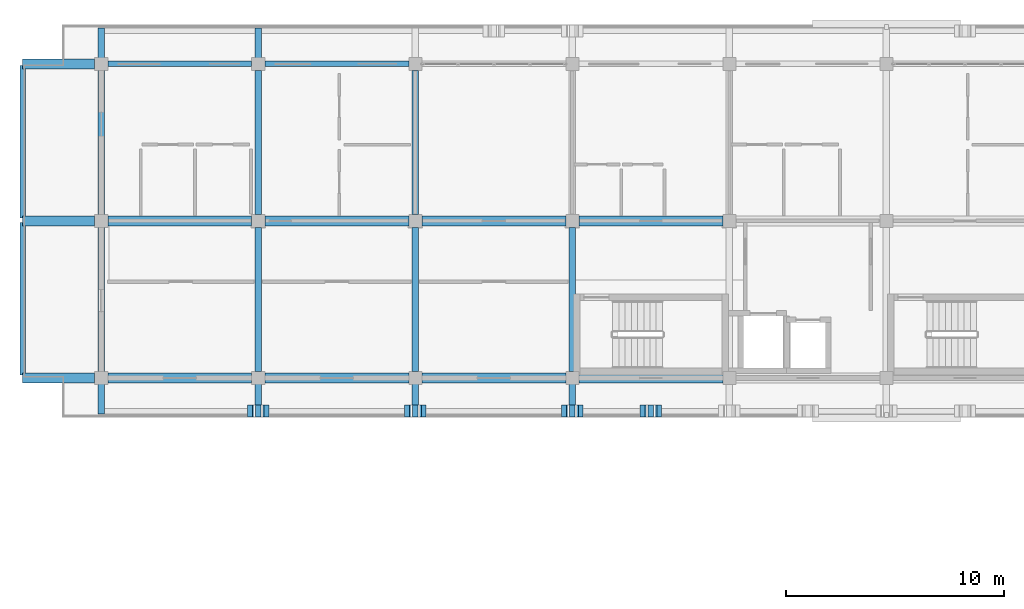
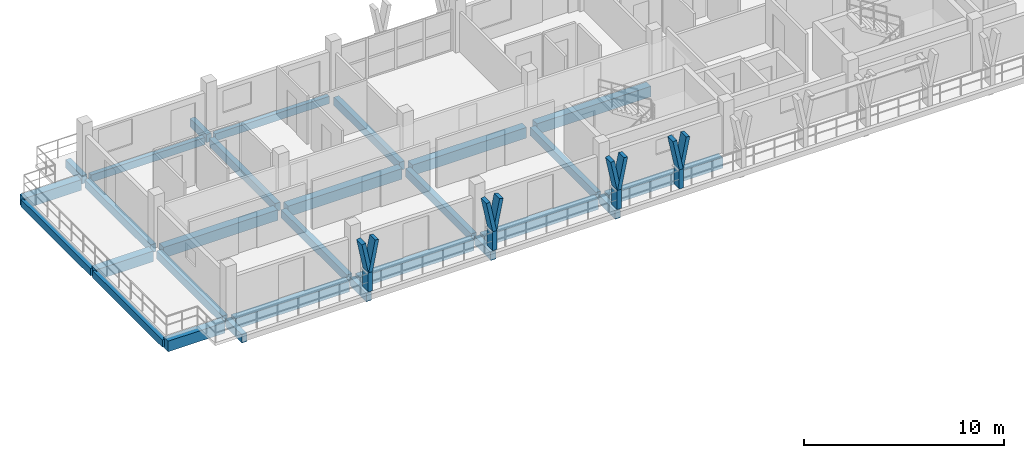
# One storey, part 6 of 56: 28 beams, 12 members.
"""IFC4 building model written with IfcOpenShell, lengths in metres."""

from ifc_helpers import new_model, si_unit, direction, frame, origin, origin_2d, place, context, subcontext, project, spatial, rectangle, extrude, material, material_profile, profile_set, type_object, element, save


model = new_model("IFC4")

# Units and contexts
model_context = context("Model", 3, precision=1e-05, world=origin(), true_north=direction((0.0, 1.0)))
body_context = subcontext(model_context, "Body", "Model", "MODEL_VIEW")
ifc_project = project(units=[si_unit("LENGTHUNIT", "METRE"), si_unit("AREAUNIT", "SQUARE_METRE"), si_unit("VOLUMEUNIT", "CUBIC_METRE"), si_unit("PLANEANGLEUNIT", "RADIAN"), si_unit("MASSUNIT", "GRAM", prefix="KILO")], contexts=[model_context])

# Site, building, storey
site_placement = place(None, origin())
site = spatial("IfcSite", under=ifc_project, at=site_placement, CompositionType="ELEMENT")
building_placement = place(site_placement, origin())
building = spatial("IfcBuilding", under=site, at=building_placement, Name="Suanplinth Sawtooth Commons", CompositionType="ELEMENT")
storey_placement = place(building_placement, frame((0.0, 0.0, 34.800048828125)))
storey = spatial("IfcBuildingStorey", under=building, at=storey_placement, Name="L10", CompositionType="ELEMENT", Elevation=34.800048828125)

# Beams
ifc_material_1 = material(Name="Precast concrete C40/50", Category="concrete")
ifc_material_profile_1 = material_profile(ifc_material_1, rectangle(XDim=0.449951171875, YDim=0.64990234375, at=origin_2d()), Name="PC-GDR 450x650")
ifc_profile_set_1 = profile_set([ifc_material_profile_1], Name="Precast concrete C40/50")
beam_type_1 = type_object("IfcBeamType", Name="B-04", PredefinedType="USERDEFINED", material=ifc_profile_set_1)
for number, where, z_axis, x_axis, name in (
    (1, (21.89990234375, 108.0, -0.545166015625), (1.0, 0.0, 0.0), (0.0, 1.0, 0.0), "BMX-L10-A-3-15"),
    (2, (21.89990234375, 115.199951171875, -0.545166015625), (1.0, 0.0, 0.0), (0.0, 1.0, 0.0), "BMX-L10-A-3-16"),
):
    element("IfcBeam", number, at=place(storey_placement, frame(where, z_axis=z_axis, x_axis=x_axis)), inside=storey, type_object=beam_type_1, Name=name, ObjectType="GIRDER", PredefinedType="USERDEFINED", context=body_context, shape_type="SweptSolid", body=[
        extrude(rectangle(XDim=0.449951171875, YDim=0.64990234375, at=origin_2d()), origin(), (0.0, 0.0, 1.0), 6.60009765625),
    ])
for number, where, z_axis, x_axis, name in (
    (3, (29.10009765625, 108.0, -0.545166015625), (1.0, 0.0, 0.0), (0.0, 1.0, 0.0), "BMX-L10-A-4-15"),
    (4, (29.10009765625, 115.199951171875, -0.545166015625), (1.0, 0.0, 0.0), (0.0, 1.0, 0.0), "BMX-L10-A-4-16"),
    (5, (36.300048828125, 108.0, -0.545166015625), (1.0, 0.0, 0.0), (0.0, 1.0, 0.0), "BMX-L10-A-5-15"),
    (6, (36.300048828125, 115.199951171875, -0.545166015625), (1.0, 0.0, 0.0), (0.0, 1.0, 0.0), "BMX-L10-A-5-16"),
):
    element("IfcBeam", number, at=place(storey_placement, frame(where, z_axis=z_axis, x_axis=x_axis)), inside=storey, type_object=beam_type_1, Name=name, ObjectType="GIRDER", PredefinedType="USERDEFINED", context=body_context, shape_type="SweptSolid", body=[
        extrude(rectangle(XDim=0.449951171875, YDim=0.64990234375, at=origin_2d()), origin(), (0.0, 0.0, 1.0), 6.599853515625),
    ])
for number, where, z_axis, x_axis, name in (
    (7, (43.5, 108.0, -0.545166015625), (1.0, 0.0, 0.0), (0.0, 1.0, 0.0), "BMX-L10-A-6-15"),
    (8, (43.5, 115.199951171875, -0.545166015625), (1.0, 0.0, 0.0), (0.0, 1.0, 0.0), "BMX-L10-A-6-16"),
):
    element("IfcBeam", number, at=place(storey_placement, frame(where, z_axis=z_axis, x_axis=x_axis)), inside=storey, type_object=beam_type_1, Name=name, ObjectType="GIRDER", PredefinedType="USERDEFINED", context=body_context, shape_type="SweptSolid", body=[
        extrude(rectangle(XDim=0.449951171875, YDim=0.64990234375, at=origin_2d()), origin(), (0.0, 0.0, 1.0), 6.60009765625),
    ])
for number, where, z_axis, x_axis, name in (
    (9, (21.300048828125, 108.0, -0.545166015625), (-1.0, 0.0, 0.0), (0.0, -1.0, 0.0), "BMX-L10-A-WCANT-15"),
    (10, (21.300048828125, 115.199951171875, -0.545166015625), (-1.0, 0.0, 0.0), (0.0, -1.0, 0.0), "BMX-L10-A-WCANT-16"),
    (11, (21.300048828125, 122.39990234375, -0.545166015625), (-1.0, 0.0, 0.0), (0.0, -1.0, 0.0), "BMX-L10-A-WCANT-17"),
):
    element("IfcBeam", number, at=place(storey_placement, frame(where, z_axis=z_axis, x_axis=x_axis)), inside=storey, type_object=beam_type_1, Name=name, ObjectType="GIRDER", PredefinedType="USERDEFINED", context=body_context, shape_type="SweptSolid", body=[
        extrude(rectangle(XDim=0.449951171875, YDim=0.64990234375, at=origin_2d()), origin(), (0.0, 0.0, 1.0), 3.300048828125),
    ])
ifc_material_profile_2 = material_profile(ifc_material_1, rectangle(XDim=0.300048828125, YDim=0.5, at=origin_2d()), Name="PC-BM 300x500")
ifc_profile_set_2 = profile_set([ifc_material_profile_2], Name="Precast concrete C40/50")
beam_type_2 = type_object("IfcBeamType", Name="B-07", PredefinedType="BEAM", material=ifc_profile_set_2)
beam_1_placement = place(storey_placement, frame((21.60009765625, 108.300048828125, -0.469970703125), z_axis=(0.0, 1.0, 0.0), x_axis=(-1.0, 0.0, 0.0)))
element("IfcBeam", 12, at=beam_1_placement, inside=storey, type_object=beam_type_2, Name="BMY-L10-A-3-15", PredefinedType="BEAM", context=body_context, shape_type="SweptSolid", body=[
    extrude(rectangle(XDim=0.300048828125, YDim=0.5, at=origin_2d()), origin(), (0.0, 0.0, 1.0), 6.599853515625),
])
beam_2_placement = place(storey_placement, frame((21.60009765625, 115.5, -0.469970703125), z_axis=(0.0, 1.0, 0.0), x_axis=(-1.0, 0.0, 0.0)))
element("IfcBeam", 13, at=beam_2_placement, inside=storey, type_object=beam_type_2, Name="BMY-L10-A-3-16", PredefinedType="BEAM", context=body_context, shape_type="SweptSolid", body=[
    extrude(rectangle(XDim=0.300048828125, YDim=0.5, at=origin_2d()), origin(), (0.0, 0.0, 1.0), 6.60009765625),
])
beam_3_placement = place(storey_placement, frame((28.800048828125, 108.300048828125, -0.469970703125), z_axis=(0.0, 1.0, 0.0), x_axis=(-1.0, 0.0, 0.0)))
element("IfcBeam", 14, at=beam_3_placement, inside=storey, type_object=beam_type_2, Name="BMY-L10-A-4-15", PredefinedType="BEAM", context=body_context, shape_type="SweptSolid", body=[
    extrude(rectangle(XDim=0.300048828125, YDim=0.5, at=origin_2d()), origin(), (0.0, 0.0, 1.0), 6.599853515625),
])
beam_4_placement = place(storey_placement, frame((28.800048828125, 115.5, -0.469970703125), z_axis=(0.0, 1.0, 0.0), x_axis=(-1.0, 0.0, 0.0)))
element("IfcBeam", 15, at=beam_4_placement, inside=storey, type_object=beam_type_2, Name="BMY-L10-A-4-16", PredefinedType="BEAM", context=body_context, shape_type="SweptSolid", body=[
    extrude(rectangle(XDim=0.300048828125, YDim=0.5, at=origin_2d()), origin(), (0.0, 0.0, 1.0), 6.60009765625),
])
beam_5_placement = place(storey_placement, frame((36.0, 108.300048828125, -0.469970703125), z_axis=(0.0, 1.0, 0.0), x_axis=(-1.0, 0.0, 0.0)))
element("IfcBeam", 16, at=beam_5_placement, inside=storey, type_object=beam_type_2, Name="BMY-L10-A-5-15", PredefinedType="BEAM", context=body_context, shape_type="SweptSolid", body=[
    extrude(rectangle(XDim=0.300048828125, YDim=0.5, at=origin_2d()), origin(), (0.0, 0.0, 1.0), 6.599853515625),
])
beam_6_placement = place(storey_placement, frame((36.0, 115.5, -0.469970703125), z_axis=(0.0, 1.0, 0.0), x_axis=(-1.0, 0.0, 0.0)))
element("IfcBeam", 17, at=beam_6_placement, inside=storey, type_object=beam_type_2, Name="BMY-L10-A-5-16", PredefinedType="BEAM", context=body_context, shape_type="SweptSolid", body=[
    extrude(rectangle(XDim=0.300048828125, YDim=0.5, at=origin_2d()), origin(), (0.0, 0.0, 1.0), 6.60009765625),
])
beam_7_placement = place(storey_placement, frame((43.199951171875, 108.300048828125, -0.469970703125), z_axis=(0.0, 1.0, 0.0), x_axis=(-1.0, 0.0, 0.0)))
element("IfcBeam", 18, at=beam_7_placement, inside=storey, type_object=beam_type_2, Name="BMY-L10-A-6-15", PredefinedType="BEAM", context=body_context, shape_type="SweptSolid", body=[
    extrude(rectangle(XDim=0.300048828125, YDim=0.5, at=origin_2d()), origin(), (0.0, 0.0, 1.0), 6.599853515625),
])
for number, where, z_axis, x_axis, name in (
    (19, (21.60009765625, 122.39990234375, -0.429931640625), (0.0, 1.0, 0.0), (-1.0, 0.0, 0.0), "Balcony Outrigger L10-A-N-3"),
    (20, (28.800048828125, 122.39990234375, -0.429931640625), (0.0, 1.0, 0.0), (-1.0, 0.0, 0.0), "Balcony Outrigger L10-A-N-4"),
):
    element("IfcBeam", number, at=place(storey_placement, frame(where, z_axis=z_axis, x_axis=x_axis)), inside=storey, type_object=beam_type_2, Name=name, PredefinedType="BEAM", context=body_context, shape_type="SweptSolid", body=[
        extrude(rectangle(XDim=0.300048828125, YDim=0.5, at=origin_2d()), origin(), (0.0, 0.0, 1.0), 1.64013671875),
    ])
for number, where, z_axis, x_axis, name in (
    (21, (21.60009765625, 108.0, -0.429931640625), (0.0, -1.0, 0.0), (1.0, 0.0, 0.0), "Balcony Outrigger L10-A-S-3"),
    (22, (28.800048828125, 108.0, -0.429931640625), (0.0, -1.0, 0.0), (1.0, 0.0, 0.0), "Balcony Outrigger L10-A-S-4"),
    (23, (36.0, 108.0, -0.429931640625), (0.0, -1.0, 0.0), (1.0, 0.0, 0.0), "Balcony Outrigger L10-A-S-5"),
    (24, (43.199951171875, 108.0, -0.429931640625), (0.0, -1.0, 0.0), (1.0, 0.0, 0.0), "Balcony Outrigger L10-A-S-6"),
):
    element("IfcBeam", number, at=place(storey_placement, frame(where, z_axis=z_axis, x_axis=x_axis)), inside=storey, type_object=beam_type_2, Name=name, PredefinedType="BEAM", context=body_context, shape_type="SweptSolid", body=[
        extrude(rectangle(XDim=0.300048828125, YDim=0.5, at=origin_2d()), origin(), (0.0, 0.0, 1.0), 1.639892578125),
    ])
ifc_material_profile_3 = material_profile(ifc_material_1, rectangle(XDim=0.25, YDim=0.449951171875, at=origin_2d()), Name="PC-SP 250x450")
ifc_profile_set_3 = profile_set([ifc_material_profile_3], Name="Precast concrete C40/50")
beam_type_3 = type_object("IfcBeamType", Name="B-09", PredefinedType="SPANDREL", material=ifc_profile_set_3)
beam_8_placement = place(storey_placement, frame((21.89990234375, 122.39990234375, -0.445068359375), z_axis=(1.0, 0.0, 0.0), x_axis=(0.0, 1.0, 0.0)))
element("IfcBeam", 25, at=beam_8_placement, inside=storey, type_object=beam_type_3, Name="BMX-L10-A-3-17", PredefinedType="SPANDREL", context=body_context, shape_type="SweptSolid", body=[
    extrude(rectangle(XDim=0.25, YDim=0.449951171875, at=origin_2d()), origin(), (0.0, 0.0, 1.0), 6.60009765625),
])
beam_9_placement = place(storey_placement, frame((29.10009765625, 122.39990234375, -0.445068359375), z_axis=(1.0, 0.0, 0.0), x_axis=(0.0, 1.0, 0.0)))
element("IfcBeam", 26, at=beam_9_placement, inside=storey, type_object=beam_type_3, Name="BMX-L10-A-4-17", PredefinedType="SPANDREL", context=body_context, shape_type="SweptSolid", body=[
    extrude(rectangle(XDim=0.25, YDim=0.449951171875, at=origin_2d()), origin(), (0.0, 0.0, 1.0), 6.599853515625),
])
beam_10_placement = place(storey_placement, frame((18.0, 108.139892578125, -0.545166015625), z_axis=(0.0, 1.0, 0.0), x_axis=(-1.0, 0.0, 0.0)))
element("IfcBeam", 27, at=beam_10_placement, inside=storey, type_object=beam_type_3, Name="BMY-L10-A-STEP-180-15", PredefinedType="SPANDREL", context=body_context, shape_type="SweptSolid", body=[
    extrude(rectangle(XDim=0.25, YDim=0.449951171875, at=origin_2d()), origin(), (0.0, 0.0, 1.0), 6.980224609375),
])
beam_11_placement = place(storey_placement, frame((18.0, 115.340087890625, -0.545166015625), z_axis=(0.0, 1.0, 0.0), x_axis=(-1.0, 0.0, 0.0)))
element("IfcBeam", 28, at=beam_11_placement, inside=storey, type_object=beam_type_3, Name="BMY-L10-A-STEP-180-16", PredefinedType="SPANDREL", context=body_context, shape_type="SweptSolid", body=[
    extrude(rectangle(XDim=0.25, YDim=0.449951171875, at=origin_2d()), origin(), (0.0, 0.0, 1.0), 6.97998046875),
])

# Members
ifc_material_2 = material(Name="Pigmented precast concrete C40/50", Category="concrete")
ifc_material_profile_4 = material_profile(ifc_material_2, rectangle(XDim=0.260009765625, YDim=0.550048828125, at=origin_2d()), Name="PC-FIN 260x550")
ifc_profile_set_4 = profile_set([ifc_material_profile_4], Name="Pigmented precast concrete C40/50")
member_type_1 = type_object("IfcMemberType", Name="M-09", PredefinedType="USERDEFINED", material=ifc_profile_set_4)
for number, where, z_axis, x_axis, name in (
    (29, (28.800048828125, 106.47998046875, 0.0), (0.0, 0.0, 1.0), (1.0, 0.0, 0.0), "Y-Blade Stem L10-A-S-06"),
    (30, (36.0, 106.47998046875, 0.0), (0.0, 0.0, 1.0), (1.0, 0.0, 0.0), "Y-Blade Stem L10-A-S-07"),
    (31, (43.199951171875, 106.47998046875, 0.0), (0.0, 0.0, 1.0), (1.0, 0.0, 0.0), "Y-Blade Stem L10-A-S-08"),
    (32, (46.800048828125, 106.47998046875, 0.0), (0.0, 0.0, 1.0), (1.0, 0.0, 0.0), "Y-Blade Stem L10-A-S-09"),
):
    element("IfcMember", number, at=place(storey_placement, frame(where, z_axis=z_axis, x_axis=x_axis)), inside=storey, type_object=member_type_1, Name=name, ObjectType="SHADING FIN", PredefinedType="USERDEFINED", context=body_context, shape_type="SweptSolid", body=[
        extrude(rectangle(XDim=0.260009765625, YDim=0.550048828125, at=origin_2d()), origin(), (0.0, 0.0, 1.0), 1.169921875),
    ])
ifc_material_profile_5 = material_profile(ifc_material_2, rectangle(XDim=0.219970703125, YDim=0.550048828125, at=origin_2d()), Name="PC-FIN 220x550")
ifc_profile_set_5 = profile_set([ifc_material_profile_5], Name="Pigmented precast concrete C40/50")
member_type_2 = type_object("IfcMemberType", Name="M-10", PredefinedType="USERDEFINED", material=ifc_profile_set_5)
member_1_placement = place(storey_placement, frame((28.800048828125, 106.47998046875, 1.1298828125), z_axis=(-0.196406855569, 0.0, 0.980522486782), x_axis=(0.980522486782, 0.0, 0.196406855569)))
element("IfcMember", 33, at=member_1_placement, inside=storey, type_object=member_type_2, Name="Y-Blade Arm L L10-A-S-06", ObjectType="SHADING FIN", PredefinedType="USERDEFINED", context=body_context, shape_type="SweptSolid", body=[
    extrude(rectangle(XDim=0.219970703125, YDim=0.550048828125, at=origin_2d()), origin(), (0.0, 0.0, 1.0), 1.93798828125),
])
member_2_placement = place(storey_placement, frame((28.800048828125, 106.47998046875, 1.1298828125), z_axis=(0.196285728346, 0.0, 0.980546741796), x_axis=(-0.980546741796, 0.0, 0.196285728346)))
element("IfcMember", 34, at=member_2_placement, inside=storey, type_object=member_type_2, Name="Y-Blade Arm R L10-A-S-06", ObjectType="SHADING FIN", PredefinedType="USERDEFINED", context=body_context, shape_type="SweptSolid", body=[
    extrude(rectangle(XDim=0.219970703125, YDim=0.550048828125, at=origin_2d()), origin(), (0.0, 0.0, 1.0), 1.937744140625),
])
for number, where, z_axis, x_axis, name in (
    (35, (36.0, 106.47998046875, 1.1298828125), (-0.196406855569, 0.0, 0.980522486782), (0.980522486782, 0.0, 0.196406855569), "Y-Blade Arm L L10-A-S-07"),
    (36, (36.0, 106.47998046875, 1.1298828125), (0.196406855569, 0.0, 0.980522486782), (-0.980522486782, 0.0, 0.196406855569), "Y-Blade Arm R L10-A-S-07"),
):
    element("IfcMember", number, at=place(storey_placement, frame(where, z_axis=z_axis, x_axis=x_axis)), inside=storey, type_object=member_type_2, Name=name, ObjectType="SHADING FIN", PredefinedType="USERDEFINED", context=body_context, shape_type="SweptSolid", body=[
        extrude(rectangle(XDim=0.219970703125, YDim=0.550048828125, at=origin_2d()), origin(), (0.0, 0.0, 1.0), 1.93798828125),
    ])
member_3_placement = place(storey_placement, frame((43.199951171875, 106.47998046875, 1.1298828125), z_axis=(-0.196285728346, 0.0, 0.980546741796), x_axis=(0.980546741796, 0.0, 0.196285728346)))
element("IfcMember", 37, at=member_3_placement, inside=storey, type_object=member_type_2, Name="Y-Blade Arm L L10-A-S-08", ObjectType="SHADING FIN", PredefinedType="USERDEFINED", context=body_context, shape_type="SweptSolid", body=[
    extrude(rectangle(XDim=0.219970703125, YDim=0.550048828125, at=origin_2d()), origin(), (0.0, 0.0, 1.0), 1.937744140625),
])
for number, where, z_axis, x_axis, name in (
    (38, (43.199951171875, 106.47998046875, 1.1298828125), (0.196406855569, 0.0, 0.980522486782), (-0.980522486782, 0.0, 0.196406855569), "Y-Blade Arm R L10-A-S-08"),
    (39, (46.800048828125, 106.47998046875, 1.1298828125), (-0.196406855569, 0.0, 0.980522486782), (0.980522486782, 0.0, 0.196406855569), "Y-Blade Arm L L10-A-S-09"),
):
    element("IfcMember", number, at=place(storey_placement, frame(where, z_axis=z_axis, x_axis=x_axis)), inside=storey, type_object=member_type_2, Name=name, ObjectType="SHADING FIN", PredefinedType="USERDEFINED", context=body_context, shape_type="SweptSolid", body=[
        extrude(rectangle(XDim=0.219970703125, YDim=0.550048828125, at=origin_2d()), origin(), (0.0, 0.0, 1.0), 1.93798828125),
    ])
member_4_placement = place(storey_placement, frame((46.800048828125, 106.47998046875, 1.1298828125), z_axis=(0.196285728346, 0.0, 0.980546741796), x_axis=(-0.980546741796, 0.0, 0.196285728346)))
element("IfcMember", 40, at=member_4_placement, inside=storey, type_object=member_type_2, Name="Y-Blade Arm R L10-A-S-09", ObjectType="SHADING FIN", PredefinedType="USERDEFINED", context=body_context, shape_type="SweptSolid", body=[
    extrude(rectangle(XDim=0.219970703125, YDim=0.550048828125, at=origin_2d()), origin(), (0.0, 0.0, 1.0), 1.937744140625),
])

save(model, "model.ifc")
